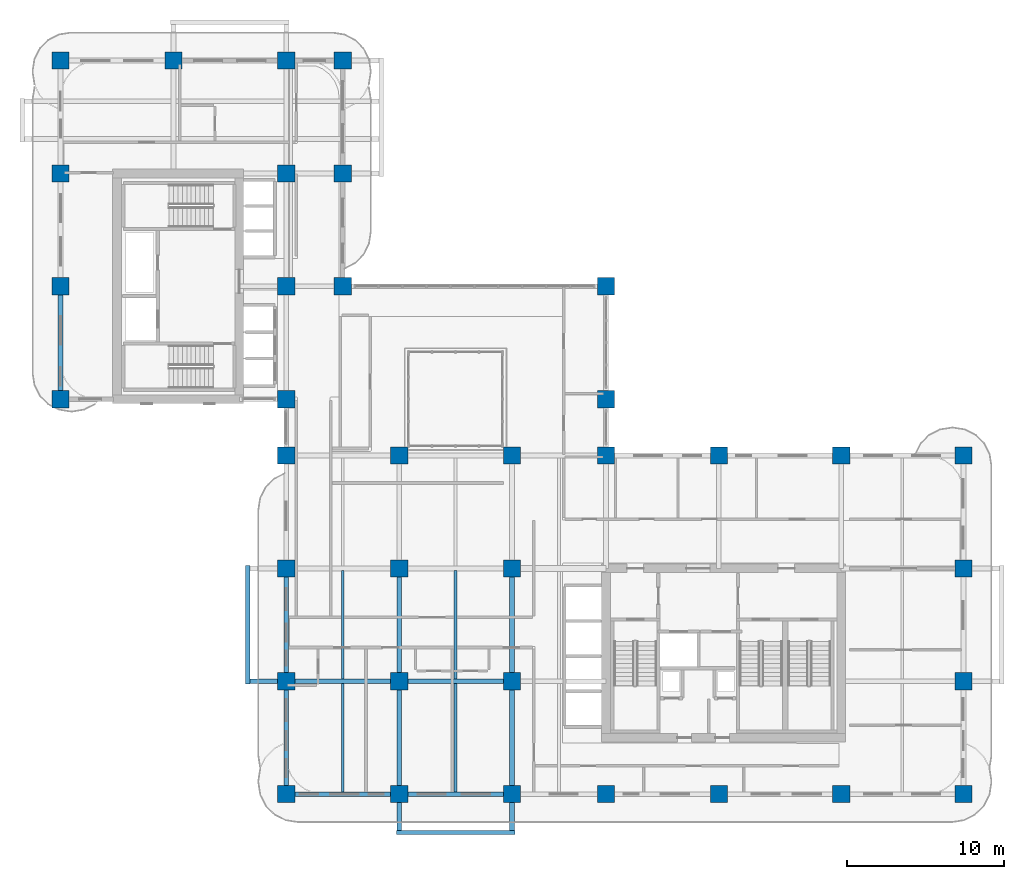
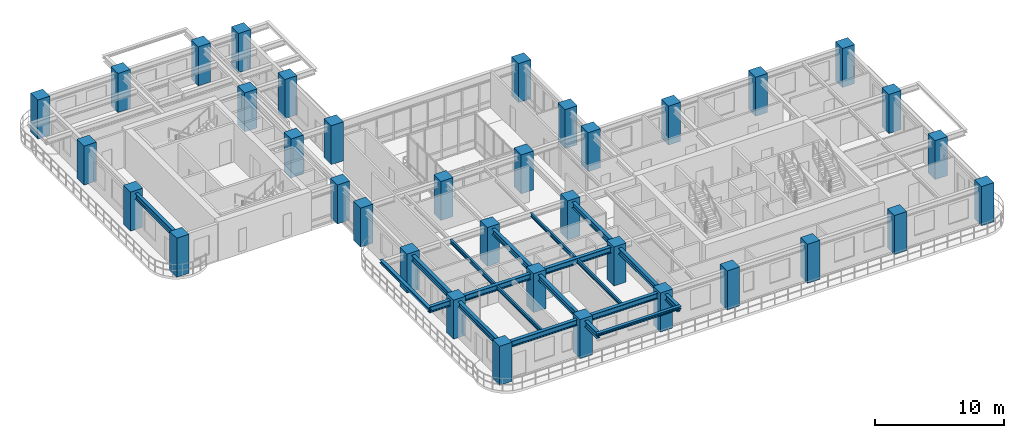
# One storey, part 1 of 22: 36 columns, 17 beams.
"""IFC4 building model written with IfcOpenShell, lengths in metres."""

import ifcopenshell
import ifcopenshell.guid

model = None  # the IFC model being written
_history = None  # IfcOwnerHistory: only IFC2X3 demands one
_inside = {}  # id of a spatial element -> (the spatial element, [elements in it])
_under = {}  # id of a project, library or spatial element -> (it, [spatial elements below it])
_declared = {}  # id of a project -> (the project, [libraries it declares])
_typed = {}  # id of a type object -> (the type object, [elements of that type])
_made_of = {}  # id of a material, layer set ... -> (it, [elements and type objects made of it])


def new_model(schema):
    """Start an empty IFC model of exactly this schema.

    Asked for "IFC4X3", IfcOpenShell would pick the latest addendum, in which some entities
    have other attributes; the version numbers below select the first issue.
    IFC2X3 requires an IfcOwnerHistory on every rooted entity: one is made here for all.
    """
    global model, _history
    if schema == "IFC4X3":
        model = ifcopenshell.file(schema_version=(4, 3, 0, 0))
    else:
        model = ifcopenshell.file(schema=schema)
    _inside.clear()
    _under.clear()
    _declared.clear()
    _typed.clear()
    _made_of.clear()
    _history = None
    if model.schema == "IFC2X3":
        org = make("IfcOrganization", Name="unknown")
        user = make(
            "IfcPersonAndOrganization",
            ThePerson=make("IfcPerson", FamilyName="unknown"),
            TheOrganization=org,
        )
        app = make(
            "IfcApplication",
            ApplicationDeveloper=org,
            Version="unknown",
            ApplicationFullName="unknown",
            ApplicationIdentifier="unknown",
        )
        _history = make(
            "IfcOwnerHistory",
            OwningUser=user,
            OwningApplication=app,
            ChangeAction="ADDED",
            CreationDate=0,
        )
    return model


def make(cls, **values):
    """One entity of the class cls with the attributes given. An attribute that is None is left unset."""
    return model.create_entity(
        cls, **{name: value for name, value in values.items() if value is not None}
    )


def rooted(cls, **values):
    """An entity with a GlobalId (a new one), such as an element, a storey or a relation."""
    return make(cls, GlobalId=ifcopenshell.guid.new(), OwnerHistory=_history, **values)


def si_unit(unit_type, name, prefix=None):
    """IfcSIUnit, for example si_unit("LENGTHUNIT", "METRE", prefix="MILLI")."""
    return make("IfcSIUnit", UnitType=unit_type, Prefix=prefix, Name=name)


def derived_unit(unit_type, elements):
    """IfcDerivedUnit: a product of units, each with its exponent."""
    return make(
        "IfcDerivedUnit",
        Elements=[
            make("IfcDerivedUnitElement", Unit=unit, Exponent=power)
            for unit, power in elements
        ],
        UnitType=unit_type,
    )


def assignment(units):
    """IfcUnitAssignment: the units of a project."""
    return None if units is None else make("IfcUnitAssignment", Units=units)


def point(xyz):
    """IfcCartesianPoint."""
    return None if xyz is None else make("IfcCartesianPoint", Coordinates=xyz)


def direction(xyz):
    """IfcDirection."""
    return None if xyz is None else make("IfcDirection", DirectionRatios=xyz)


def frame(location, z_axis=None, x_axis=None):
    """IfcAxis2Placement3D, a coordinate frame: its origin and axes. An axis left out is left unset."""
    return make(
        "IfcAxis2Placement3D",
        Location=point(location),
        Axis=direction(z_axis),
        RefDirection=direction(x_axis),
    )


def frame_2d(location, x_axis=None):
    """IfcAxis2Placement2D, a coordinate frame in the plane: its origin and x axis."""
    return make(
        "IfcAxis2Placement2D", Location=point(location), RefDirection=direction(x_axis)
    )


def origin():
    """The frame at (0, 0, 0) with its axes left unset."""
    return frame((0.0, 0.0, 0.0))


def origin_2d():
    """The frame at (0, 0) in the plane with its x axis left unset."""
    return frame_2d((0.0, 0.0))


def place(relative_to, where):
    """IfcLocalPlacement: puts the frame where relative to a parent placement (None: the world)."""
    return make(
        "IfcLocalPlacement", PlacementRelTo=relative_to, RelativePlacement=where
    )


def context(
    kind, dimensions, precision=None, world=None, true_north=None, identifier=None
):
    """IfcGeometricRepresentationContext, for example the 3D "Model" context."""
    return make(
        "IfcGeometricRepresentationContext",
        ContextIdentifier=identifier,
        ContextType=kind,
        CoordinateSpaceDimension=dimensions,
        Precision=precision,
        WorldCoordinateSystem=world,
        TrueNorth=true_north,
    )


def subcontext(parent, identifier, kind, view, scale=None):
    """IfcGeometricRepresentationSubContext, for example "Body" below "Model"."""
    return make(
        "IfcGeometricRepresentationSubContext",
        ContextIdentifier=identifier,
        ContextType=kind,
        ParentContext=parent,
        TargetScale=scale,
        TargetView=view,
    )


def project(units=None, contexts=None):
    """IfcProject with its units and contexts."""
    return rooted(
        "IfcProject",
        Name="project",
        RepresentationContexts=contexts,
        UnitsInContext=assignment(units),
    )


def spatial(cls, under=None, at=None, **own):
    """A site, building, storey or space (cls), placed at a placement, below another one or the project."""
    s = rooted(cls, ObjectPlacement=at, **own)
    if under is not None:
        _under.setdefault(under.id(), (under, []))[1].append(s)
    return s


def profile(cls, at=None, kind="AREA", **sizes):
    """A parametric profile (cls). Its sizes go by their IFC names, for example OverallWidth=200.0."""
    return make(cls, ProfileType=kind, Position=at, **sizes)


def rectangle(**sizes):
    """IfcRectangleProfileDef."""
    return profile("IfcRectangleProfileDef", **sizes)


def i_section(**sizes):
    """IfcIShapeProfileDef."""
    return profile("IfcIShapeProfileDef", **sizes)


def extrude(swept, where, along, depth):
    """IfcExtrudedAreaSolid: the profile swept, set in the frame where, extruded along a direction by depth."""
    return make(
        "IfcExtrudedAreaSolid",
        SweptArea=swept,
        Position=where,
        ExtrudedDirection=direction(along),
        Depth=depth,
    )


def shape(context_of_items, identifier, shape_type, items):
    """IfcShapeRepresentation: the items that make up one representation, for example the "Body"."""
    return make(
        "IfcShapeRepresentation",
        ContextOfItems=context_of_items,
        RepresentationIdentifier=identifier,
        RepresentationType=shape_type,
        Items=items,
    )


def source(mapping_origin, context_of_items, identifier, shape_type, items):
    """IfcRepresentationMap: a shape defined once, which mapped items show again and again."""
    return make(
        "IfcRepresentationMap",
        MappingOrigin=mapping_origin,
        MappedRepresentation=shape(context_of_items, identifier, shape_type, items),
    )


def transform(
    local_origin,
    x_axis=None,
    y_axis=None,
    z_axis=None,
    scale=None,
    scale2=None,
    scale3=None,
    uniform=True,
):
    """IfcCartesianTransformationOperator3D, or its non-uniform kind. x_axis, y_axis, z_axis: its Axis1, 2, 3."""
    if uniform:
        return make(
            "IfcCartesianTransformationOperator3D",
            Axis1=direction(x_axis),
            Axis2=direction(y_axis),
            LocalOrigin=point(local_origin),
            Scale=scale,
            Axis3=direction(z_axis),
        )
    return make(
        "IfcCartesianTransformationOperator3DnonUniform",
        Axis1=direction(x_axis),
        Axis2=direction(y_axis),
        LocalOrigin=point(local_origin),
        Scale=scale,
        Axis3=direction(z_axis),
        Scale2=scale2,
        Scale3=scale3,
    )


def mapped(mapping_source, mapping_target):
    """IfcMappedItem: shows the shape of a source again, moved by a transform."""
    return make(
        "IfcMappedItem", MappingSource=mapping_source, MappingTarget=mapping_target
    )


def material(Name=None, Category=None):
    """IfcMaterial."""
    return make("IfcMaterial", Name=Name, Category=Category)


def material_profile(
    of_material, cross_section, Name=None, Category=None, Priority=None
):
    """IfcMaterialProfile: a cross section and its material."""
    return make(
        "IfcMaterialProfile",
        Name=Name,
        Material=of_material,
        Profile=cross_section,
        Priority=Priority,
        Category=Category,
    )


def profile_set(profiles, Name=None, composite=None):
    """IfcMaterialProfileSet."""
    return make(
        "IfcMaterialProfileSet",
        Name=Name,
        MaterialProfiles=profiles,
        CompositeProfile=composite,
    )


def made_of(thing, what):
    """Note that an element or type object is made of a material, layer set ...; save() writes the relation."""
    if what is not None:
        _made_of.setdefault(what.id(), (what, []))[1].append(thing)
    return thing


def type_object(cls, material=None, **own):
    """A type object (cls), such as IfcWallType, which elements share."""
    return made_of(rooted(cls, **own), material)


def type_shapes(of_type, sources):
    """Give a type object the sources (RepresentationMaps) that its elements show as mapped items."""
    of_type.RepresentationMaps = sources


def element(
    cls,
    number,
    at=None,
    inside=None,
    cuts=None,
    type_object=None,
    material=None,
    context=None,
    identifier="Body",
    shape_type=None,
    held_by="IfcProductDefinitionShape",
    body=None,
    shapes=None,
    **own,
):
    """One element of the class cls, such as IfcWall. Its Tag is "e" and its number.

    at: its placement. inside: the storey or other place that contains it. cuts: it is an
    opening in that element (IfcRelVoidsElement). A single representation is given by context,
    identifier, shape_type and body (its items); several are given by shapes. held_by: the class
    of the entity that holds the representations. save() writes the other relations.
    """
    e = rooted(cls, Tag="e%d" % number, ObjectPlacement=at, **own)
    if body is not None:
        shapes = [shape(context, identifier, shape_type, body)]
    if shapes is not None:
        e.Representation = make(held_by, Representations=shapes)
    if inside is not None:
        _inside.setdefault(inside.id(), (inside, []))[1].append(e)
    if cuts is not None:
        rooted(
            "IfcRelVoidsElement", RelatingBuildingElement=cuts, RelatedOpeningElement=e
        )
    if type_object is not None:
        _typed.setdefault(type_object.id(), (type_object, []))[1].append(e)
    return made_of(e, material)


def aggregate(whole, parts):
    """IfcRelAggregates: a whole, such as a stair, and the parts it consists of."""
    return rooted("IfcRelAggregates", RelatingObject=whole, RelatedObjects=parts)


def save(model, path):
    """Write the relations noted so far, then the file.

    IfcRelAggregates (storeys below a building ...), IfcRelContainedInSpatialStructure (elements
    in a storey), IfcRelDefinesByType, IfcRelAssociatesMaterial and IfcRelDeclares: one each for
    every whole, place, type object, material and project.
    """
    for whole, parts in _under.values():
        aggregate(whole, parts)
    for where, things in _inside.values():
        rooted(
            "IfcRelContainedInSpatialStructure",
            RelatedElements=things,
            RelatingStructure=where,
        )
    for kind, things in _typed.values():
        rooted("IfcRelDefinesByType", RelatedObjects=things, RelatingType=kind)
    for what, things in _made_of.values():
        rooted("IfcRelAssociatesMaterial", RelatedObjects=things, RelatingMaterial=what)
    for by, libraries in _declared.values():
        rooted("IfcRelDeclares", RelatingContext=by, RelatedDefinitions=libraries)
    model.write(path)


model = new_model("IFC4")

# Units and contexts
model_context = context("Model", 3, precision=1e-05, world=origin(), true_north=direction((0.0, 1.0)))
body_context = subcontext(model_context, "Body", "Model", "MODEL_VIEW")
ifc_project = project(units=[si_unit("LENGTHUNIT", "METRE"), si_unit("AREAUNIT", "SQUARE_METRE"), si_unit("VOLUMEUNIT", "CUBIC_METRE"), si_unit("PLANEANGLEUNIT", "RADIAN"), si_unit("MASSUNIT", "GRAM", prefix="KILO"), si_unit("THERMODYNAMICTEMPERATUREUNIT", "KELVIN"), si_unit("POWERUNIT", "WATT"), derived_unit("THERMALTRANSMITTANCEUNIT", [(si_unit("POWERUNIT", "WATT"), 1), (si_unit("AREAUNIT", "SQUARE_METRE"), -1), (si_unit("THERMODYNAMICTEMPERATUREUNIT", "KELVIN"), -1)])], contexts=[model_context])

# Site, building, storey
site_placement = place(None, origin())
site = spatial("IfcSite", under=ifc_project, at=site_placement, CompositionType="ELEMENT")
building_placement = place(site_placement, origin())
building = spatial("IfcBuilding", under=site, at=building_placement, Name="Zahravan Archway Hotel and Residences", CompositionType="ELEMENT")
storey_placement = place(building_placement, frame((0.0, 0.0, 73.10009765625)))
storey = spatial("IfcBuildingStorey", under=building, at=storey_placement, Name="L17", CompositionType="ELEMENT", Elevation=73.10009765625)

# Columns
ifc_material_1 = material(Name="Concrete C70/85", Category="concrete")
ifc_material_profile_1 = material_profile(ifc_material_1, rectangle(XDim=1.10009765625, YDim=1.10009765625, at=origin_2d()), Name="RC 1100x1100", Category="concrete")
ifc_profile_set_1 = profile_set([ifc_material_profile_1], Name="Concrete C70/85")
column_type = type_object("IfcColumnType", Name="COL-RC-1100", PredefinedType="COLUMN", material=ifc_profile_set_1)
shared_shape_1 = source(origin(), body_context, "Body", "SweptSolid", [
    extrude(rectangle(XDim=1.10009765625, YDim=1.10009765625, at=origin_2d()), origin(), (0.0, 0.0, 1.0), 3.699951171875),
])
for number, where, z_axis, x_axis, name in (
    (1, (0.0, 25.199951171875, 0.0), (0.0, 0.0, 1.0), (1.0, 0.0, 0.0), "L17 Column 1-E"),
    (2, (0.0, 32.39990234375, 0.0), (0.0, 0.0, 1.0), (1.0, 0.0, 0.0), "L17 Column 1-F"),
    (3, (0.0, 39.60009765625, 0.0), (0.0, 0.0, 1.0), (1.0, 0.0, 0.0), "L17 Column 1-G"),
    (4, (0.0, 46.800048828125, 0.0), (0.0, 0.0, 1.0), (1.0, 0.0, 0.0), "L17 Column 1-H"),
    (5, (7.199951171875, 46.800048828125, 0.0), (0.0, 0.0, 1.0), (1.0, 0.0, 0.0), "L17 Column 2-H"),
    (6, (14.39990234375, 0.0, 0.0), (0.0, 0.0, 1.0), (1.0, 0.0, 0.0), "L17 Column 3-A"),
    (7, (14.39990234375, 7.199951171875, 0.0), (0.0, 0.0, 1.0), (1.0, 0.0, 0.0), "L17 Column 3-B"),
    (8, (14.39990234375, 14.39990234375, 0.0), (0.0, 0.0, 1.0), (1.0, 0.0, 0.0), "L17 Column 3-C"),
    (9, (14.39990234375, 21.60009765625, 0.0), (0.0, 0.0, 1.0), (1.0, 0.0, 0.0), "L17 Column 3-D"),
    (10, (14.39990234375, 25.199951171875, 0.0), (0.0, 0.0, 1.0), (1.0, 0.0, 0.0), "L17 Column 3-E"),
    (11, (14.39990234375, 32.39990234375, 0.0), (0.0, 0.0, 1.0), (1.0, 0.0, 0.0), "L17 Column 3-F"),
    (12, (14.39990234375, 39.60009765625, 0.0), (0.0, 0.0, 1.0), (1.0, 0.0, 0.0), "L17 Column 3-G"),
    (13, (14.39990234375, 46.800048828125, 0.0), (0.0, 0.0, 1.0), (1.0, 0.0, 0.0), "L17 Column 3-H"),
    (14, (21.60009765625, 0.0, 0.0), (0.0, 0.0, 1.0), (1.0, 0.0, 0.0), "L17 Column 4-A"),
    (15, (21.60009765625, 7.199951171875, 0.0), (0.0, 0.0, 1.0), (1.0, 0.0, 0.0), "L17 Column 4-B"),
    (16, (21.60009765625, 14.39990234375, 0.0), (0.0, 0.0, 1.0), (1.0, 0.0, 0.0), "L17 Column 4-C"),
    (17, (21.60009765625, 21.60009765625, 0.0), (0.0, 0.0, 1.0), (1.0, 0.0, 0.0), "L17 Column 4-D"),
    (18, (28.800048828125, 0.0, 0.0), (0.0, 0.0, 1.0), (1.0, 0.0, 0.0), "L17 Column 5-A"),
    (19, (28.800048828125, 7.199951171875, 0.0), (0.0, 0.0, 1.0), (1.0, 0.0, 0.0), "L17 Column 5-B"),
    (20, (28.800048828125, 14.39990234375, 0.0), (0.0, 0.0, 1.0), (1.0, 0.0, 0.0), "L17 Column 5-C"),
    (21, (28.800048828125, 21.60009765625, 0.0), (0.0, 0.0, 1.0), (1.0, 0.0, 0.0), "L17 Column 5-D"),
    (22, (34.800048828125, 0.0, 0.0), (0.0, 0.0, 1.0), (1.0, 0.0, 0.0), "L17 Column 6-A"),
    (23, (34.800048828125, 21.60009765625, 0.0), (0.0, 0.0, 1.0), (1.0, 0.0, 0.0), "L17 Column 6-D"),
    (24, (34.800048828125, 25.199951171875, 0.0), (0.0, 0.0, 1.0), (1.0, 0.0, 0.0), "L17 Column 6-E"),
    (25, (34.800048828125, 32.39990234375, 0.0), (0.0, 0.0, 1.0), (1.0, 0.0, 0.0), "L17 Column 6-F"),
    (26, (42.0, 0.0, 0.0), (0.0, 0.0, 1.0), (1.0, 0.0, 0.0), "L17 Column 7-A"),
    (27, (42.0, 21.60009765625, 0.0), (0.0, 0.0, 1.0), (1.0, 0.0, 0.0), "L17 Column 7-D"),
    (28, (49.800048828125, 0.0, 0.0), (0.0, 0.0, 1.0), (1.0, 0.0, 0.0), "L17 Column 8-A"),
    (29, (49.800048828125, 21.60009765625, 0.0), (0.0, 0.0, 1.0), (1.0, 0.0, 0.0), "L17 Column 8-D"),
    (30, (57.60009765625, 0.0, 0.0), (0.0, 0.0, 1.0), (1.0, 0.0, 0.0), "L17 Column 9-A"),
    (31, (57.60009765625, 7.199951171875, 0.0), (0.0, 0.0, 1.0), (1.0, 0.0, 0.0), "L17 Column 9-B"),
    (32, (57.60009765625, 14.39990234375, 0.0), (0.0, 0.0, 1.0), (1.0, 0.0, 0.0), "L17 Column 9-C"),
    (33, (57.60009765625, 21.60009765625, 0.0), (0.0, 0.0, 1.0), (1.0, 0.0, 0.0), "L17 Column 9-D"),
    (34, (18.0, 32.39990234375, 0.0), (0.0, 0.0, 1.0), (1.0, 0.0, 0.0), "L17 Column 3B-F"),
    (35, (18.0, 39.60009765625, 0.0), (0.0, 0.0, 1.0), (1.0, 0.0, 0.0), "L17 Column 3B-G"),
    (36, (18.0, 46.800048828125, 0.0), (0.0, 0.0, 1.0), (1.0, 0.0, 0.0), "L17 Column 3B-H"),
):
    element("IfcColumn", number, at=place(storey_placement, frame(where, z_axis=z_axis, x_axis=x_axis)), inside=storey, type_object=column_type, Name=name, PredefinedType="COLUMN", context=body_context, shape_type="MappedRepresentation", body=[
        mapped(shared_shape_1, transform((0.0, 0.0, 0.0), scale=1.0)),
    ])

# Beams
ifc_material_2 = material(Name="Structural Steel S355JR", Category="steel")
ifc_material_profile_2 = material_profile(ifc_material_2, i_section(OverallWidth=0.280029296875, OverallDepth=0.280029296875, WebThickness=0.010498046875, FlangeThickness=0.01806640625, FilletRadius=0.02392578125, at=origin_2d()), Name="HEB 280", Category="steel")
ifc_profile_set_2 = profile_set([ifc_material_profile_2], Name="Structural Steel S355JR")
beam_type_1 = type_object("IfcBeamType", Name="BM-SPN-HEB280", PredefinedType="SPANDREL", material=ifc_profile_set_2)
shared_shape_2 = source(origin(), body_context, "Body", "SweptSolid", [
    extrude(i_section(OverallWidth=0.280029296875, OverallDepth=0.280029296875, WebThickness=0.010498046875, FlangeThickness=0.01806640625, FilletRadius=0.02392578125, at=origin_2d()), origin(), (0.0, 0.0, 1.0), 7.56005859375),
])
type_shapes(beam_type_1, [shared_shape_2])
for number, where, z_axis, x_axis, name in (
    (37, (11.949951171875, 7.02001953125, 3.309814453125), (0.0, 1.0, 0.0), (-1.0, 0.0, 0.0), "L18 WA Balcony Edge Spandrel"),
    (38, (21.419921875, -2.449951171875, 3.309814453125), (1.0, 0.0, 0.0), (0.0, 1.0, 0.0), "L18 SA Balcony Edge Spandrel"),
):
    element("IfcBeam", number, at=place(storey_placement, frame(where, z_axis=z_axis, x_axis=x_axis)), inside=storey, type_object=beam_type_1, Name=name, PredefinedType="SPANDREL", context=body_context, shape_type="MappedRepresentation", body=[
        mapped(shared_shape_2, transform((0.0, 0.0, 0.0), scale=1.0)),
    ])
ifc_material_profile_3 = material_profile(ifc_material_2, i_section(OverallWidth=0.300048828125, OverallDepth=0.550048828125, WebThickness=0.014892578125, FlangeThickness=0.029052734375, FilletRadius=0.027099609375, at=origin_2d()), Name="HEB 550", Category="steel")
ifc_profile_set_3 = profile_set([ifc_material_profile_3], Name="Structural Steel S355JR")
beam_type_2 = type_object("IfcBeamType", Name="BM-PRI-HEB550", PredefinedType="BEAM", material=ifc_profile_set_3)
shared_shape_3 = source(origin(), body_context, "Body", "SweptSolid", [
    extrude(i_section(OverallWidth=0.300048828125, OverallDepth=0.550048828125, WebThickness=0.014892578125, FlangeThickness=0.029052734375, FilletRadius=0.027099609375, at=origin_2d()), origin(), (0.0, 0.0, 1.0), 7.2001953125),
])
type_shapes(beam_type_2, [shared_shape_3])
beam_1_placement = place(storey_placement, frame((14.39990234375, 0.0, 3.1748046875), z_axis=(1.0, 0.0, 0.0), x_axis=(0.0, 1.0, 0.0)))
element("IfcBeam", 39, at=beam_1_placement, inside=storey, type_object=beam_type_2, Name="L17 Primary Girder EW-01", PredefinedType="BEAM", context=body_context, shape_type="MappedRepresentation", body=[
    mapped(shared_shape_3, transform((0.0, 0.0, 0.0), scale=1.0)),
])
shared_shape_4 = source(origin(), body_context, "Body", "SweptSolid", [
    extrude(i_section(OverallWidth=0.300048828125, OverallDepth=0.550048828125, WebThickness=0.014892578125, FlangeThickness=0.029052734375, FilletRadius=0.027099609375, at=origin_2d()), origin(), (0.0, 0.0, 1.0), 7.199951171875),
])
for number, where, z_axis, x_axis, name in (
    (40, (21.60009765625, 0.0, 3.1748046875), (1.0, 0.0, 0.0), (0.0, 1.0, 0.0), "L17 Primary Girder EW-02"),
    (41, (21.60009765625, 7.199951171875, 3.1748046875), (1.0, 0.0, 0.0), (0.0, 1.0, 0.0), "L17 Primary Girder EW-08"),
    (42, (0.0, 25.199951171875, 3.1748046875), (0.0, 1.0, 0.0), (-1.0, 0.0, 0.0), "L17 Primary Girder NS-28"),
    (43, (14.39990234375, 0.0, 3.1748046875), (0.0, 1.0, 0.0), (-1.0, 0.0, 0.0), "L17 Primary Girder NS-32"),
    (44, (14.39990234375, 7.199951171875, 3.1748046875), (0.0, 1.0, 0.0), (-1.0, 0.0, 0.0), "L17 Primary Girder NS-33"),
    (45, (21.60009765625, 7.199951171875, 3.1748046875), (0.0, 1.0, 0.0), (-1.0, 0.0, 0.0), "L17 Primary Girder NS-40"),
    (46, (28.800048828125, 7.199951171875, 3.1748046875), (0.0, 1.0, 0.0), (-1.0, 0.0, 0.0), "L17 Primary Girder NS-43"),
):
    element("IfcBeam", number, at=place(storey_placement, frame(where, z_axis=z_axis, x_axis=x_axis)), inside=storey, type_object=beam_type_2, Name=name, PredefinedType="BEAM", context=body_context, shape_type="MappedRepresentation", body=[
        mapped(shared_shape_4, transform((0.0, 0.0, 0.0), scale=1.0)),
    ])
shared_shape_5 = source(origin(), body_context, "Body", "SweptSolid", [
    extrude(i_section(OverallWidth=0.300048828125, OverallDepth=0.550048828125, WebThickness=0.014892578125, FlangeThickness=0.029052734375, FilletRadius=0.027099609375, at=origin_2d()), origin(), (0.0, 0.0, 1.0), 9.650146484375),
])
beam_2_placement = place(storey_placement, frame((11.949951171875, 7.199951171875, 3.1748046875), z_axis=(1.0, 0.0, 0.0), x_axis=(0.0, 1.0, 0.0)))
element("IfcBeam", 47, at=beam_2_placement, inside=storey, type_object=beam_type_2, Name="L17 Primary Girder EW-07", PredefinedType="BEAM", context=body_context, shape_type="MappedRepresentation", body=[
    mapped(shared_shape_5, transform((0.0, 0.0, 0.0), scale=1.0)),
])
shared_shape_6 = source(origin(), body_context, "Body", "SweptSolid", [
    extrude(i_section(OverallWidth=0.300048828125, OverallDepth=0.550048828125, WebThickness=0.014892578125, FlangeThickness=0.029052734375, FilletRadius=0.027099609375, at=origin_2d()), origin(), (0.0, 0.0, 1.0), 9.64990234375),
])
for number, where, z_axis, x_axis, name in (
    (48, (21.60009765625, -2.449951171875, 3.1748046875), (0.0, 1.0, 0.0), (-1.0, 0.0, 0.0), "L17 Primary Girder NS-39"),
    (49, (28.800048828125, -2.449951171875, 3.1748046875), (0.0, 1.0, 0.0), (-1.0, 0.0, 0.0), "L17 Primary Girder NS-42"),
):
    element("IfcBeam", number, at=place(storey_placement, frame(where, z_axis=z_axis, x_axis=x_axis)), inside=storey, type_object=beam_type_2, Name=name, PredefinedType="BEAM", context=body_context, shape_type="MappedRepresentation", body=[
        mapped(shared_shape_6, transform((0.0, 0.0, 0.0), scale=1.0)),
    ])
ifc_material_profile_4 = material_profile(ifc_material_2, i_section(OverallWidth=0.169921875, OverallDepth=0.360107421875, WebThickness=0.008056640625, FlangeThickness=0.0126953125, FilletRadius=0.01806640625, at=origin_2d()), Name="IPE 360", Category="steel")
ifc_profile_set_4 = profile_set([ifc_material_profile_4], Name="Structural Steel S355JR")
beam_type_3 = type_object("IfcBeamType", Name="BM-JST-IPE360", PredefinedType="JOIST", material=ifc_profile_set_4)
shared_shape_7 = source(origin(), body_context, "Body", "SweptSolid", [
    extrude(i_section(OverallWidth=0.169921875, OverallDepth=0.360107421875, WebThickness=0.008056640625, FlangeThickness=0.0126953125, FilletRadius=0.01806640625, at=origin_2d()), origin(), (0.0, 0.0, 1.0), 6.904052734375),
])
type_shapes(beam_type_3, [shared_shape_7])
for number, where, z_axis, x_axis, name in (
    (50, (18.0, 0.14794921875, 3.27001953125), (0.0, 1.0, 0.0), (-1.0, 0.0, 0.0), "L17 Composite Floor Joist 01"),
    (51, (25.199951171875, 0.14794921875, 3.27001953125), (0.0, 1.0, 0.0), (-1.0, 0.0, 0.0), "L17 Composite Floor Joist 02"),
    (52, (18.0, 7.347900390625, 3.27001953125), (0.0, 1.0, 0.0), (-1.0, 0.0, 0.0), "L17 Composite Floor Joist 05"),
    (53, (25.199951171875, 7.347900390625, 3.27001953125), (0.0, 1.0, 0.0), (-1.0, 0.0, 0.0), "L17 Composite Floor Joist 06"),
):
    element("IfcBeam", number, at=place(storey_placement, frame(where, z_axis=z_axis, x_axis=x_axis)), inside=storey, type_object=beam_type_3, Name=name, PredefinedType="JOIST", context=body_context, shape_type="MappedRepresentation", body=[
        mapped(shared_shape_7, transform((0.0, 0.0, 0.0), scale=1.0)),
    ])

save(model, "model.ifc")
